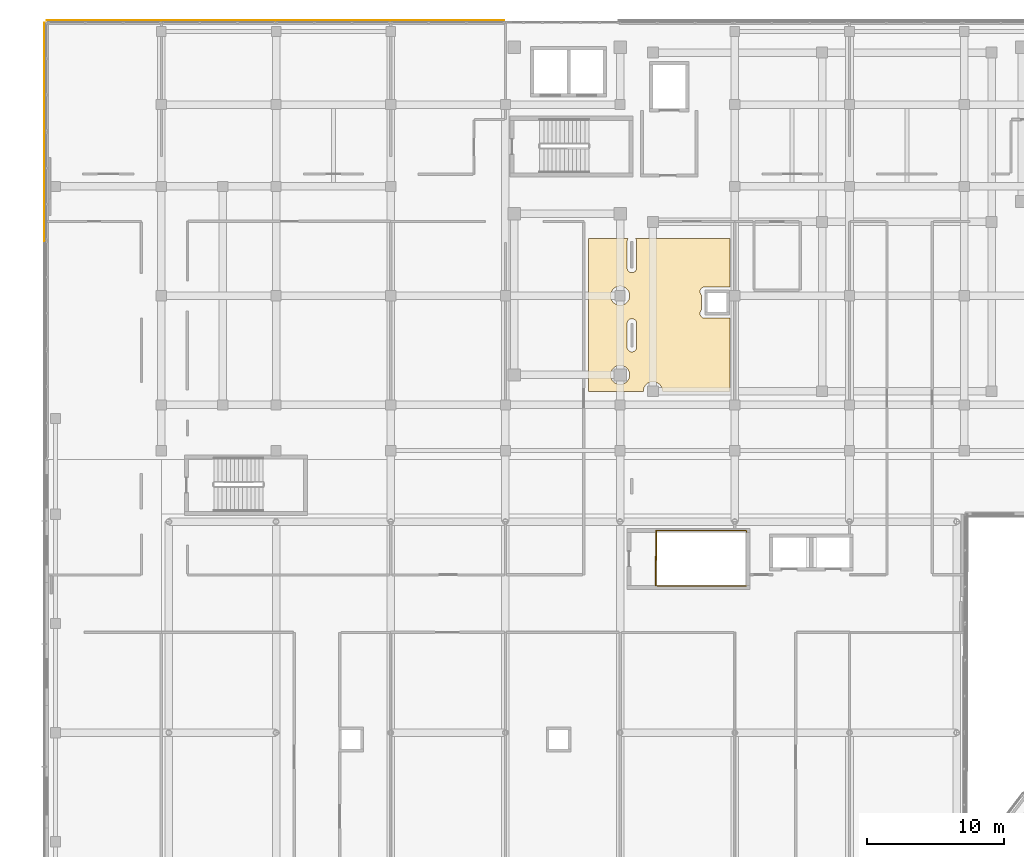
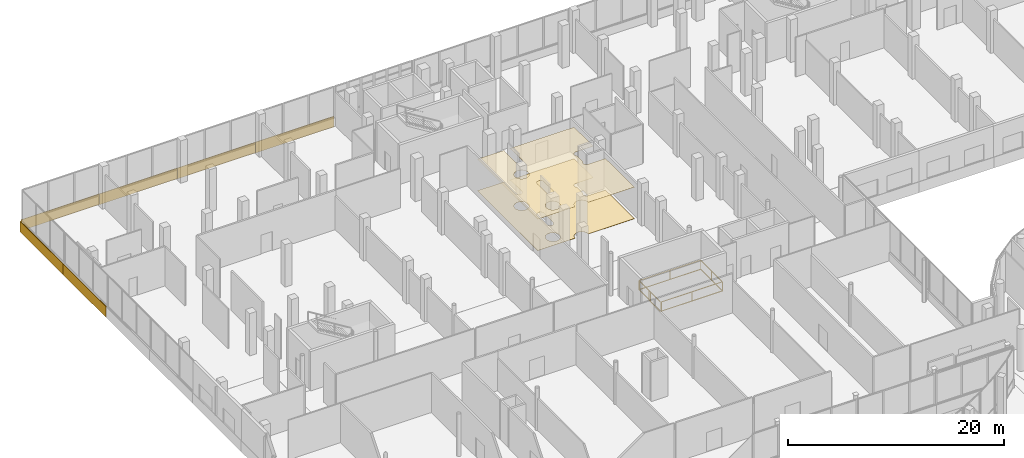
# One storey, part 150 of 155: 8 coverings, 3 railings.
"""IFC4 building model written with IfcOpenShell, lengths in metres."""

from ifc_helpers import new_model, si_unit, direction, frame, origin, origin_2d, place, context, subcontext, project, spatial, polyline, rectangle, outline, extrude, material, layer, layer_set, type_object, element, save


model = new_model("IFC4")

# Units and contexts
model_context = context("Model", 3, precision=1e-05, world=origin(), true_north=direction((0.0, 1.0)))
body_context = subcontext(model_context, "Body", "Model", "MODEL_VIEW")
ifc_project = project(units=[si_unit("LENGTHUNIT", "METRE"), si_unit("AREAUNIT", "SQUARE_METRE"), si_unit("VOLUMEUNIT", "CUBIC_METRE"), si_unit("PLANEANGLEUNIT", "RADIAN"), si_unit("MASSUNIT", "GRAM", prefix="KILO")], contexts=[model_context])

# Site, building, storey
site_placement = place(None, origin())
site = spatial("IfcSite", under=ifc_project, at=site_placement, CompositionType="ELEMENT")
building_placement = place(site_placement, origin())
building = spatial("IfcBuilding", under=site, at=building_placement, Name="Selatvlak General Hospital", CompositionType="ELEMENT")
storey_placement = place(building_placement, frame((0.0, 0.0, 10.199951171875)))
storey = spatial("IfcBuildingStorey", under=building, at=storey_placement, Name="L02", CompositionType="ELEMENT", Elevation=10.199951171875)

# Coverings
ifc_material_1 = material(Name="Acoustic mineral fibre ceiling tile")
ifc_layer_1 = layer(ifc_material_1, 0.02490234375, Name="Acoustic mineral fibre ceiling tile")
ifc_layer_set_1 = layer_set([ifc_layer_1], Name="Acoustic mineral fibre ceiling tile")
covering_type_1 = type_object("IfcCoveringType", Name="COV-CEIL1", PredefinedType="CEILING", material=ifc_layer_set_1)
covering_1_placement = place(storey_placement, frame((0.0, 0.0, 3.56005859375)))
element("IfcCovering", 1, at=covering_1_placement, inside=storey, type_object=covering_type_1, Name="L02 clinical acoustic ceiling 005", PredefinedType="CEILING", context=body_context, shape_type="SweptSolid", body=[
    extrude(outline(polyline([(57.0009765625, 104.199951171875), (56.968994140625, 104.158935546875), (56.950927734375, 104.1298828125), (56.93701171875, 104.09912109375), (56.925048828125, 104.06689453125), (56.9169921875, 104.032958984375), (56.912109375, 103.9990234375), (56.909912109375, 103.965087890625), (56.909912109375, 102.034912109375), (56.912109375, 102.0009765625), (56.9169921875, 101.967041015625), (56.925048828125, 101.93310546875), (56.93701171875, 101.90087890625), (56.950927734375, 101.8701171875), (56.968994140625, 101.841064453125), (56.989013671875, 101.81298828125), (57.012939453125, 101.7880859375), (57.0380859375, 101.763916015625), (57.06591796875, 101.743896484375), (57.094970703125, 101.72607421875), (57.1259765625, 101.7119140625), (57.157958984375, 101.699951171875), (57.19189453125, 101.69189453125), (57.22607421875, 101.68701171875), (57.260009765625, 101.68505859375), (57.2939453125, 101.68701171875), (57.327880859375, 101.69189453125), (57.362060546875, 101.699951171875), (57.39404296875, 101.7119140625), (57.425048828125, 101.72607421875), (57.4541015625, 101.743896484375), (57.48193359375, 101.763916015625), (57.507080078125, 101.7880859375), (57.531005859375, 101.81298828125), (57.551025390625, 101.841064453125), (57.569091796875, 101.8701171875), (57.5830078125, 101.90087890625), (57.594970703125, 101.93310546875), (57.60302734375, 101.967041015625), (57.60791015625, 102.0009765625), (57.610107421875, 102.034912109375), (57.610107421875, 103.965087890625), (57.60791015625, 103.9990234375), (57.60302734375, 104.032958984375), (57.594970703125, 104.06689453125), (57.5830078125, 104.09912109375), (57.569091796875, 104.1298828125), (57.551025390625, 104.158935546875), (57.531005859375, 104.18701171875), (64.449951171875, 104.199951171875), (64.449951171875, 100.64599609375), (64.39990234375, 100.64990234375), (62.60009765625, 100.64990234375), (62.56591796875, 100.64794921875), (62.531982421875, 100.64306640625), (62.498046875, 100.635009765625), (62.466064453125, 100.623046875), (62.43505859375, 100.60888671875), (62.406005859375, 100.591064453125), (62.3779296875, 100.571044921875), (62.35302734375, 100.547119140625), (62.3291015625, 100.52197265625), (62.30908203125, 100.493896484375), (62.291015625, 100.465087890625), (62.277099609375, 100.43408203125), (62.264892578125, 100.402099609375), (62.257080078125, 100.367919921875), (62.251953125, 100.333984375), (62.25, 100.300048828125), (62.251953125, 100.26611328125), (62.257080078125, 100.23193359375), (62.264892578125, 100.197998046875), (62.277099609375, 100.166015625), (62.291015625, 100.135009765625), (62.30908203125, 100.10595703125), (62.3291015625, 100.077880859375), (62.35009765625, 100.054931640625), (62.35009765625, 98.945068359375), (62.3291015625, 98.922119140625), (62.30908203125, 98.89404296875), (62.291015625, 98.864990234375), (62.277099609375, 98.833984375), (62.264892578125, 98.802001953125), (62.257080078125, 98.76806640625), (62.251953125, 98.73388671875), (62.25, 98.699951171875), (62.251953125, 98.666015625), (62.257080078125, 98.632080078125), (62.264892578125, 98.597900390625), (62.277099609375, 98.56591796875), (62.291015625, 98.534912109375), (62.30908203125, 98.506103515625), (62.3291015625, 98.47802734375), (62.35302734375, 98.452880859375), (62.3779296875, 98.428955078125), (62.406005859375, 98.408935546875), (62.43505859375, 98.39111328125), (62.466064453125, 98.376953125), (62.498046875, 98.364990234375), (62.531982421875, 98.35693359375), (62.56591796875, 98.35205078125), (62.60009765625, 98.35009765625), (64.39990234375, 98.35009765625), (64.43408203125, 98.35205078125), (64.449951171875, 93.0), (59.5, 93.0), (59.4970703125, 93.069091796875), (59.487060546875, 93.136962890625), (59.469970703125, 93.202880859375), (59.447021484375, 93.26806640625), (59.4169921875, 93.330078125), (59.382080078125, 93.388916015625), (59.341064453125, 93.444091796875), (59.294921875, 93.4951171875), (59.243896484375, 93.541015625), (59.18896484375, 93.58203125), (59.1298828125, 93.616943359375), (59.068115234375, 93.64697265625), (59.0029296875, 93.669921875), (58.93701171875, 93.68701171875), (58.868896484375, 93.697021484375), (58.800048828125, 93.699951171875), (58.73095703125, 93.697021484375), (58.6630859375, 93.68701171875), (58.596923828125, 93.669921875), (58.531982421875, 93.64697265625), (58.469970703125, 93.616943359375), (58.410888671875, 93.58203125), (58.35595703125, 93.541015625), (58.304931640625, 93.4951171875), (58.259033203125, 93.444091796875), (58.218017578125, 93.388916015625), (58.18310546875, 93.330078125), (58.153076171875, 93.26806640625), (58.1298828125, 93.202880859375), (58.113037109375, 93.136962890625), (58.10302734375, 93.069091796875), (58.10009765625, 93.0), (54.090087890625, 93.0), (54.090087890625, 104.199951171875), (57.0009765625, 104.199951171875)]), holes=[polyline([(56.89501953125, 93.705078125), (56.94091796875, 93.756103515625), (56.98193359375, 93.81103515625), (57.01708984375, 93.8701171875), (57.047119140625, 93.931884765625), (57.070068359375, 93.9970703125), (57.0869140625, 94.06298828125), (57.096923828125, 94.131103515625), (57.10009765625, 94.199951171875), (57.096923828125, 94.26904296875), (57.0869140625, 94.3369140625), (57.070068359375, 94.403076171875), (57.047119140625, 94.468017578125), (57.01708984375, 94.530029296875), (56.98193359375, 94.589111328125), (56.94091796875, 94.64404296875), (56.89501953125, 94.695068359375), (56.843994140625, 94.740966796875), (56.7890625, 94.781982421875), (56.72998046875, 94.81689453125), (56.66796875, 94.846923828125), (56.60302734375, 94.8701171875), (56.537109375, 94.886962890625), (56.468994140625, 94.89697265625), (56.39990234375, 94.89990234375), (56.3310546875, 94.89697265625), (56.262939453125, 94.886962890625), (56.197021484375, 94.8701171875), (56.132080078125, 94.846923828125), (56.070068359375, 94.81689453125), (56.010986328125, 94.781982421875), (55.9560546875, 94.740966796875), (55.905029296875, 94.695068359375), (55.85888671875, 94.64404296875), (55.818115234375, 94.589111328125), (55.782958984375, 94.530029296875), (55.7529296875, 94.468017578125), (55.72998046875, 94.403076171875), (55.712890625, 94.3369140625), (55.702880859375, 94.26904296875), (55.699951171875, 94.199951171875), (55.702880859375, 94.131103515625), (55.712890625, 94.06298828125), (55.72998046875, 93.9970703125), (55.7529296875, 93.931884765625), (55.782958984375, 93.8701171875), (55.818115234375, 93.81103515625), (55.85888671875, 93.756103515625), (55.905029296875, 93.705078125), (55.9560546875, 93.658935546875), (56.010986328125, 93.617919921875), (56.070068359375, 93.5830078125), (56.132080078125, 93.552978515625), (56.197021484375, 93.530029296875), (56.262939453125, 93.512939453125), (56.3310546875, 93.5029296875), (56.39990234375, 93.5), (56.468994140625, 93.5029296875), (56.537109375, 93.512939453125), (56.60302734375, 93.530029296875), (56.66796875, 93.552978515625), (56.72998046875, 93.5830078125), (56.7890625, 93.617919921875), (56.843994140625, 93.658935546875), (56.89501953125, 93.705078125)]), polyline([(56.89501953125, 99.5048828125), (56.94091796875, 99.555908203125), (56.98193359375, 99.611083984375), (57.01708984375, 99.669921875), (57.047119140625, 99.73193359375), (57.070068359375, 99.797119140625), (57.0869140625, 99.863037109375), (57.096923828125, 99.930908203125), (57.10009765625, 100.0), (57.096923828125, 100.069091796875), (57.0869140625, 100.136962890625), (57.070068359375, 100.202880859375), (57.047119140625, 100.26806640625), (57.01708984375, 100.330078125), (56.98193359375, 100.388916015625), (56.94091796875, 100.444091796875), (56.89501953125, 100.4951171875), (56.843994140625, 100.541015625), (56.7890625, 100.58203125), (56.72998046875, 100.616943359375), (56.66796875, 100.64697265625), (56.60302734375, 100.669921875), (56.537109375, 100.68701171875), (56.468994140625, 100.697021484375), (56.39990234375, 100.699951171875), (56.3310546875, 100.697021484375), (56.262939453125, 100.68701171875), (56.197021484375, 100.669921875), (56.132080078125, 100.64697265625), (56.070068359375, 100.616943359375), (56.010986328125, 100.58203125), (55.9560546875, 100.541015625), (55.905029296875, 100.4951171875), (55.85888671875, 100.444091796875), (55.818115234375, 100.388916015625), (55.782958984375, 100.330078125), (55.7529296875, 100.26806640625), (55.72998046875, 100.202880859375), (55.712890625, 100.136962890625), (55.702880859375, 100.069091796875), (55.699951171875, 100.0), (55.702880859375, 99.930908203125), (55.712890625, 99.863037109375), (55.72998046875, 99.797119140625), (55.7529296875, 99.73193359375), (55.782958984375, 99.669921875), (55.818115234375, 99.611083984375), (55.85888671875, 99.555908203125), (55.905029296875, 99.5048828125), (55.9560546875, 99.458984375), (56.010986328125, 99.41796875), (56.070068359375, 99.383056640625), (56.132080078125, 99.35302734375), (56.197021484375, 99.330078125), (56.262939453125, 99.31298828125), (56.3310546875, 99.302978515625), (56.39990234375, 99.300048828125), (56.468994140625, 99.302978515625), (56.537109375, 99.31298828125), (56.60302734375, 99.330078125), (56.66796875, 99.35302734375), (56.72998046875, 99.383056640625), (56.7890625, 99.41796875), (56.843994140625, 99.458984375), (56.89501953125, 99.5048828125)]), polyline([(57.0380859375, 98.236083984375), (57.012939453125, 98.2119140625), (56.989013671875, 98.18701171875), (56.968994140625, 98.158935546875), (56.950927734375, 98.1298828125), (56.93701171875, 98.09912109375), (56.925048828125, 98.06689453125), (56.9169921875, 98.032958984375), (56.912109375, 97.9990234375), (56.909912109375, 97.965087890625), (56.909912109375, 96.235107421875), (56.912109375, 96.200927734375), (56.9169921875, 96.1669921875), (56.925048828125, 96.133056640625), (56.93701171875, 96.10107421875), (56.950927734375, 96.070068359375), (56.968994140625, 96.041015625), (56.989013671875, 96.012939453125), (57.012939453125, 95.988037109375), (57.0380859375, 95.964111328125), (57.06591796875, 95.944091796875), (57.094970703125, 95.926025390625), (57.1259765625, 95.912109375), (57.157958984375, 95.89990234375), (57.19189453125, 95.89208984375), (57.22607421875, 95.886962890625), (57.260009765625, 95.885009765625), (57.2939453125, 95.886962890625), (57.327880859375, 95.89208984375), (57.362060546875, 95.89990234375), (57.39404296875, 95.912109375), (57.425048828125, 95.926025390625), (57.4541015625, 95.944091796875), (57.48193359375, 95.964111328125), (57.507080078125, 95.988037109375), (57.531005859375, 96.012939453125), (57.551025390625, 96.041015625), (57.569091796875, 96.070068359375), (57.5830078125, 96.10107421875), (57.594970703125, 96.133056640625), (57.60302734375, 96.1669921875), (57.60791015625, 96.200927734375), (57.610107421875, 96.235107421875), (57.610107421875, 97.965087890625), (57.60791015625, 97.9990234375), (57.60302734375, 98.032958984375), (57.594970703125, 98.06689453125), (57.5830078125, 98.09912109375), (57.569091796875, 98.1298828125), (57.551025390625, 98.158935546875), (57.531005859375, 98.18701171875), (57.507080078125, 98.2119140625), (57.48193359375, 98.236083984375), (57.4541015625, 98.256103515625), (57.425048828125, 98.27392578125), (57.39404296875, 98.2880859375), (57.362060546875, 98.300048828125), (57.327880859375, 98.30810546875), (57.2939453125, 98.31298828125), (57.260009765625, 98.31494140625), (57.22607421875, 98.31298828125), (57.19189453125, 98.30810546875), (57.157958984375, 98.300048828125), (57.1259765625, 98.2880859375), (57.094970703125, 98.27392578125), (57.06591796875, 98.256103515625), (57.0380859375, 98.236083984375)])]), origin(), (0.0, 0.0, 1.0), 0.02490234375),
])
ifc_material_2 = material(Name="Homogeneous anti-static hospital vinyl flooring")
ifc_layer_2 = layer(ifc_material_2, 0.014892578125, Name="Homogeneous anti-static hospital vinyl flooring")
ifc_layer_set_2 = layer_set([ifc_layer_2], Name="Homogeneous anti-static hospital vinyl flooring")
covering_type_2 = type_object("IfcCoveringType", Name="COV-FLR1", PredefinedType="FLOORING", material=ifc_layer_set_2)
covering_2_placement = place(storey_placement, origin())
element("IfcCovering", 2, at=covering_2_placement, inside=storey, type_object=covering_type_2, Name="L02 seamless vinyl flooring 005", PredefinedType="FLOORING", context=body_context, shape_type="SweptSolid", body=[
    extrude(outline(polyline([(57.0009765625, 104.199951171875), (56.968994140625, 104.158935546875), (56.950927734375, 104.1298828125), (56.93701171875, 104.09912109375), (56.925048828125, 104.06689453125), (56.9169921875, 104.032958984375), (56.912109375, 103.9990234375), (56.909912109375, 103.965087890625), (56.909912109375, 102.034912109375), (56.912109375, 102.0009765625), (56.9169921875, 101.967041015625), (56.925048828125, 101.93310546875), (56.93701171875, 101.90087890625), (56.950927734375, 101.8701171875), (56.968994140625, 101.841064453125), (56.989013671875, 101.81298828125), (57.012939453125, 101.7880859375), (57.0380859375, 101.763916015625), (57.06591796875, 101.743896484375), (57.094970703125, 101.72607421875), (57.1259765625, 101.7119140625), (57.157958984375, 101.699951171875), (57.19189453125, 101.69189453125), (57.22607421875, 101.68701171875), (57.260009765625, 101.68505859375), (57.2939453125, 101.68701171875), (57.327880859375, 101.69189453125), (57.362060546875, 101.699951171875), (57.39404296875, 101.7119140625), (57.425048828125, 101.72607421875), (57.4541015625, 101.743896484375), (57.48193359375, 101.763916015625), (57.507080078125, 101.7880859375), (57.531005859375, 101.81298828125), (57.551025390625, 101.841064453125), (57.569091796875, 101.8701171875), (57.5830078125, 101.90087890625), (57.594970703125, 101.93310546875), (57.60302734375, 101.967041015625), (57.60791015625, 102.0009765625), (57.610107421875, 102.034912109375), (57.610107421875, 103.965087890625), (57.60791015625, 103.9990234375), (57.60302734375, 104.032958984375), (57.594970703125, 104.06689453125), (57.5830078125, 104.09912109375), (57.569091796875, 104.1298828125), (57.551025390625, 104.158935546875), (57.531005859375, 104.18701171875), (64.449951171875, 104.199951171875), (64.449951171875, 100.64599609375), (64.39990234375, 100.64990234375), (62.60009765625, 100.64990234375), (62.56591796875, 100.64794921875), (62.531982421875, 100.64306640625), (62.498046875, 100.635009765625), (62.466064453125, 100.623046875), (62.43505859375, 100.60888671875), (62.406005859375, 100.591064453125), (62.3779296875, 100.571044921875), (62.35302734375, 100.547119140625), (62.3291015625, 100.52197265625), (62.30908203125, 100.493896484375), (62.291015625, 100.465087890625), (62.277099609375, 100.43408203125), (62.264892578125, 100.402099609375), (62.257080078125, 100.367919921875), (62.251953125, 100.333984375), (62.25, 100.300048828125), (62.251953125, 100.26611328125), (62.257080078125, 100.23193359375), (62.264892578125, 100.197998046875), (62.277099609375, 100.166015625), (62.291015625, 100.135009765625), (62.30908203125, 100.10595703125), (62.3291015625, 100.077880859375), (62.35009765625, 100.054931640625), (62.35009765625, 98.945068359375), (62.3291015625, 98.922119140625), (62.30908203125, 98.89404296875), (62.291015625, 98.864990234375), (62.277099609375, 98.833984375), (62.264892578125, 98.802001953125), (62.257080078125, 98.76806640625), (62.251953125, 98.73388671875), (62.25, 98.699951171875), (62.251953125, 98.666015625), (62.257080078125, 98.632080078125), (62.264892578125, 98.597900390625), (62.277099609375, 98.56591796875), (62.291015625, 98.534912109375), (62.30908203125, 98.506103515625), (62.3291015625, 98.47802734375), (62.35302734375, 98.452880859375), (62.3779296875, 98.428955078125), (62.406005859375, 98.408935546875), (62.43505859375, 98.39111328125), (62.466064453125, 98.376953125), (62.498046875, 98.364990234375), (62.531982421875, 98.35693359375), (62.56591796875, 98.35205078125), (62.60009765625, 98.35009765625), (64.39990234375, 98.35009765625), (64.43408203125, 98.35205078125), (64.449951171875, 93.0), (59.5, 93.0), (59.4970703125, 93.069091796875), (59.487060546875, 93.136962890625), (59.469970703125, 93.202880859375), (59.447021484375, 93.26806640625), (59.4169921875, 93.330078125), (59.382080078125, 93.388916015625), (59.341064453125, 93.444091796875), (59.294921875, 93.4951171875), (59.243896484375, 93.541015625), (59.18896484375, 93.58203125), (59.1298828125, 93.616943359375), (59.068115234375, 93.64697265625), (59.0029296875, 93.669921875), (58.93701171875, 93.68701171875), (58.868896484375, 93.697021484375), (58.800048828125, 93.699951171875), (58.73095703125, 93.697021484375), (58.6630859375, 93.68701171875), (58.596923828125, 93.669921875), (58.531982421875, 93.64697265625), (58.469970703125, 93.616943359375), (58.410888671875, 93.58203125), (58.35595703125, 93.541015625), (58.304931640625, 93.4951171875), (58.259033203125, 93.444091796875), (58.218017578125, 93.388916015625), (58.18310546875, 93.330078125), (58.153076171875, 93.26806640625), (58.1298828125, 93.202880859375), (58.113037109375, 93.136962890625), (58.10302734375, 93.069091796875), (58.10009765625, 93.0), (54.090087890625, 93.0), (54.090087890625, 104.199951171875), (57.0009765625, 104.199951171875)]), holes=[polyline([(56.89501953125, 93.705078125), (56.94091796875, 93.756103515625), (56.98193359375, 93.81103515625), (57.01708984375, 93.8701171875), (57.047119140625, 93.931884765625), (57.070068359375, 93.9970703125), (57.0869140625, 94.06298828125), (57.096923828125, 94.131103515625), (57.10009765625, 94.199951171875), (57.096923828125, 94.26904296875), (57.0869140625, 94.3369140625), (57.070068359375, 94.403076171875), (57.047119140625, 94.468017578125), (57.01708984375, 94.530029296875), (56.98193359375, 94.589111328125), (56.94091796875, 94.64404296875), (56.89501953125, 94.695068359375), (56.843994140625, 94.740966796875), (56.7890625, 94.781982421875), (56.72998046875, 94.81689453125), (56.66796875, 94.846923828125), (56.60302734375, 94.8701171875), (56.537109375, 94.886962890625), (56.468994140625, 94.89697265625), (56.39990234375, 94.89990234375), (56.3310546875, 94.89697265625), (56.262939453125, 94.886962890625), (56.197021484375, 94.8701171875), (56.132080078125, 94.846923828125), (56.070068359375, 94.81689453125), (56.010986328125, 94.781982421875), (55.9560546875, 94.740966796875), (55.905029296875, 94.695068359375), (55.85888671875, 94.64404296875), (55.818115234375, 94.589111328125), (55.782958984375, 94.530029296875), (55.7529296875, 94.468017578125), (55.72998046875, 94.403076171875), (55.712890625, 94.3369140625), (55.702880859375, 94.26904296875), (55.699951171875, 94.199951171875), (55.702880859375, 94.131103515625), (55.712890625, 94.06298828125), (55.72998046875, 93.9970703125), (55.7529296875, 93.931884765625), (55.782958984375, 93.8701171875), (55.818115234375, 93.81103515625), (55.85888671875, 93.756103515625), (55.905029296875, 93.705078125), (55.9560546875, 93.658935546875), (56.010986328125, 93.617919921875), (56.070068359375, 93.5830078125), (56.132080078125, 93.552978515625), (56.197021484375, 93.530029296875), (56.262939453125, 93.512939453125), (56.3310546875, 93.5029296875), (56.39990234375, 93.5), (56.468994140625, 93.5029296875), (56.537109375, 93.512939453125), (56.60302734375, 93.530029296875), (56.66796875, 93.552978515625), (56.72998046875, 93.5830078125), (56.7890625, 93.617919921875), (56.843994140625, 93.658935546875), (56.89501953125, 93.705078125)]), polyline([(56.89501953125, 99.5048828125), (56.94091796875, 99.555908203125), (56.98193359375, 99.611083984375), (57.01708984375, 99.669921875), (57.047119140625, 99.73193359375), (57.070068359375, 99.797119140625), (57.0869140625, 99.863037109375), (57.096923828125, 99.930908203125), (57.10009765625, 100.0), (57.096923828125, 100.069091796875), (57.0869140625, 100.136962890625), (57.070068359375, 100.202880859375), (57.047119140625, 100.26806640625), (57.01708984375, 100.330078125), (56.98193359375, 100.388916015625), (56.94091796875, 100.444091796875), (56.89501953125, 100.4951171875), (56.843994140625, 100.541015625), (56.7890625, 100.58203125), (56.72998046875, 100.616943359375), (56.66796875, 100.64697265625), (56.60302734375, 100.669921875), (56.537109375, 100.68701171875), (56.468994140625, 100.697021484375), (56.39990234375, 100.699951171875), (56.3310546875, 100.697021484375), (56.262939453125, 100.68701171875), (56.197021484375, 100.669921875), (56.132080078125, 100.64697265625), (56.070068359375, 100.616943359375), (56.010986328125, 100.58203125), (55.9560546875, 100.541015625), (55.905029296875, 100.4951171875), (55.85888671875, 100.444091796875), (55.818115234375, 100.388916015625), (55.782958984375, 100.330078125), (55.7529296875, 100.26806640625), (55.72998046875, 100.202880859375), (55.712890625, 100.136962890625), (55.702880859375, 100.069091796875), (55.699951171875, 100.0), (55.702880859375, 99.930908203125), (55.712890625, 99.863037109375), (55.72998046875, 99.797119140625), (55.7529296875, 99.73193359375), (55.782958984375, 99.669921875), (55.818115234375, 99.611083984375), (55.85888671875, 99.555908203125), (55.905029296875, 99.5048828125), (55.9560546875, 99.458984375), (56.010986328125, 99.41796875), (56.070068359375, 99.383056640625), (56.132080078125, 99.35302734375), (56.197021484375, 99.330078125), (56.262939453125, 99.31298828125), (56.3310546875, 99.302978515625), (56.39990234375, 99.300048828125), (56.468994140625, 99.302978515625), (56.537109375, 99.31298828125), (56.60302734375, 99.330078125), (56.66796875, 99.35302734375), (56.72998046875, 99.383056640625), (56.7890625, 99.41796875), (56.843994140625, 99.458984375), (56.89501953125, 99.5048828125)]), polyline([(57.0380859375, 98.236083984375), (57.012939453125, 98.2119140625), (56.989013671875, 98.18701171875), (56.968994140625, 98.158935546875), (56.950927734375, 98.1298828125), (56.93701171875, 98.09912109375), (56.925048828125, 98.06689453125), (56.9169921875, 98.032958984375), (56.912109375, 97.9990234375), (56.909912109375, 97.965087890625), (56.909912109375, 96.235107421875), (56.912109375, 96.200927734375), (56.9169921875, 96.1669921875), (56.925048828125, 96.133056640625), (56.93701171875, 96.10107421875), (56.950927734375, 96.070068359375), (56.968994140625, 96.041015625), (56.989013671875, 96.012939453125), (57.012939453125, 95.988037109375), (57.0380859375, 95.964111328125), (57.06591796875, 95.944091796875), (57.094970703125, 95.926025390625), (57.1259765625, 95.912109375), (57.157958984375, 95.89990234375), (57.19189453125, 95.89208984375), (57.22607421875, 95.886962890625), (57.260009765625, 95.885009765625), (57.2939453125, 95.886962890625), (57.327880859375, 95.89208984375), (57.362060546875, 95.89990234375), (57.39404296875, 95.912109375), (57.425048828125, 95.926025390625), (57.4541015625, 95.944091796875), (57.48193359375, 95.964111328125), (57.507080078125, 95.988037109375), (57.531005859375, 96.012939453125), (57.551025390625, 96.041015625), (57.569091796875, 96.070068359375), (57.5830078125, 96.10107421875), (57.594970703125, 96.133056640625), (57.60302734375, 96.1669921875), (57.60791015625, 96.200927734375), (57.610107421875, 96.235107421875), (57.610107421875, 97.965087890625), (57.60791015625, 97.9990234375), (57.60302734375, 98.032958984375), (57.594970703125, 98.06689453125), (57.5830078125, 98.09912109375), (57.569091796875, 98.1298828125), (57.551025390625, 98.158935546875), (57.531005859375, 98.18701171875), (57.507080078125, 98.2119140625), (57.48193359375, 98.236083984375), (57.4541015625, 98.256103515625), (57.425048828125, 98.27392578125), (57.39404296875, 98.2880859375), (57.362060546875, 98.300048828125), (57.327880859375, 98.30810546875), (57.2939453125, 98.31298828125), (57.260009765625, 98.31494140625), (57.22607421875, 98.31298828125), (57.19189453125, 98.30810546875), (57.157958984375, 98.300048828125), (57.1259765625, 98.2880859375), (57.094970703125, 98.27392578125), (57.06591796875, 98.256103515625), (57.0380859375, 98.236083984375)])]), origin(), (0.0, 0.0, 1.0), 0.01513671875),
])
ifc_material_3 = material(Name="White Bauhaus fair-faced cladding panel")
ifc_layer_3 = layer(ifc_material_3, 0.054931640625, Name="White Bauhaus fair-faced cladding panel")
ifc_layer_set_3 = layer_set([ifc_layer_3], Name="White Bauhaus fair-faced cladding panel")
covering_type_3 = type_object("IfcCoveringType", Name="COV-WHT1", PredefinedType="CLADDING", material=ifc_layer_set_3)
for number, where, z_axis, x_axis, name in (
    (3, (14.235107421875, 107.9990234375, -0.27978515625), (0.0, 0.0, 1.0), (0.0, 1.0, 0.0), "L02 Bauhaus horizontal white spandrel band 0140"),
    (4, (14.235107421875, 115.9990234375, -0.27978515625), (0.0, 0.0, 1.0), (0.0, 1.0, 0.0), "L02 Bauhaus horizontal white spandrel band 0141"),
):
    element("IfcCovering", number, at=place(storey_placement, frame(where, z_axis=z_axis, x_axis=x_axis)), inside=storey, type_object=covering_type_3, Name=name, PredefinedType="CLADDING", context=body_context, shape_type="SweptSolid", body=[
        extrude(rectangle(XDim=8.0, YDim=0.054931640625, at=origin_2d()), origin(), (0.0, 0.0, 1.0), 1.219970703125),
    ])
for number, where, z_axis, x_axis, name in (
    (5, (18.590087890625, 120.1640625, -0.27978515625), (0.0, 0.0, 1.0), (1.0, 0.0, 0.0), "L02 Bauhaus horizontal white spandrel band 0142"),
    (6, (26.969970703125, 120.1640625, -0.27978515625), (0.0, 0.0, 1.0), (1.0, 0.0, 0.0), "L02 Bauhaus horizontal white spandrel band 0143"),
    (7, (35.35009765625, 120.1640625, -0.27978515625), (0.0, 0.0, 1.0), (1.0, 0.0, 0.0), "L02 Bauhaus horizontal white spandrel band 0144"),
    (8, (43.72998046875, 120.1640625, -0.27978515625), (0.0, 0.0, 1.0), (1.0, 0.0, 0.0), "L02 Bauhaus horizontal white spandrel band 0145"),
):
    element("IfcCovering", number, at=place(storey_placement, frame(where, z_axis=z_axis, x_axis=x_axis)), inside=storey, type_object=covering_type_3, Name=name, PredefinedType="CLADDING", context=body_context, shape_type="SweptSolid", body=[
        extrude(rectangle(XDim=8.3798828125, YDim=0.054931640625, at=origin_2d()), origin(), (0.0, 0.0, 1.0), 1.219970703125),
    ])

# Railings
ifc_material_4 = material(Name="Stainless steel 316 stair guard", Category="steel")
railing_type = type_object("IfcRailingType", Name="RAIL-STG", PredefinedType="GUARDRAIL", material=ifc_material_4)
railing_1_placement = place(storey_placement, frame((59.010009765625, 78.800048828125, 0.0)))
element("IfcRailing", 9, at=railing_1_placement, inside=storey, type_object=railing_type, Name="L02 ST-05 top well guard 1", PredefinedType="GUARDRAIL", context=body_context, shape_type="SweptSolid", body=[
    extrude(rectangle(XDim=0.068115234375, YDim=0.068115234375, at=origin_2d()), frame((0.0, 0.0029296875, 1.11572265625), z_axis=(0.0, 1.0, 0.0), x_axis=(-1.0, 0.0, 0.0)), (0.0, 0.0, 1.0), 2.073974609375),
    extrude(rectangle(XDim=0.068115234375, YDim=0.068115234375, at=origin_2d()), frame((0.0, 0.0029296875, 0.049072265625), z_axis=(0.0, 1.0, 0.0), x_axis=(-1.0, 0.0, 0.0)), (0.0, 0.0, 1.0), 2.073974609375),
    extrude(rectangle(XDim=0.055908203125, YDim=0.055908203125, at=origin_2d()), origin(), (0.0, 0.0, 1.0), 1.078857421875),
    extrude(rectangle(XDim=0.055908203125, YDim=0.055908203125, at=origin_2d()), frame((0.0, 2.079833984375, 0.0)), (0.0, 0.0, 1.0), 1.078857421875),
])
railing_2_placement = place(storey_placement, frame((59.10498046875, 82.7900390625, 0.0)))
element("IfcRailing", 10, at=railing_2_placement, inside=storey, type_object=railing_type, Name="ST-05 top landing well guard on L02", PredefinedType="GUARDRAIL", context=body_context, shape_type="SweptSolid", body=[
    extrude(rectangle(XDim=0.068115234375, YDim=0.068115234375, at=origin_2d()), frame((0.0029296875, 0.0, 1.0859375), z_axis=(1.0, 0.0, 0.0), x_axis=(0.0, 1.0, 0.0)), (0.0, 0.0, 1.0), 6.5390625),
    extrude(rectangle(XDim=0.068115234375, YDim=0.068115234375, at=origin_2d()), frame((0.0029296875, 0.0, 0.049072265625), z_axis=(1.0, 0.0, 0.0), x_axis=(0.0, 1.0, 0.0)), (0.0, 0.0, 1.0), 6.5390625),
    extrude(rectangle(XDim=0.068115234375, YDim=0.068115234375, at=origin_2d()), frame((6.544921875, -0.0029296875, 1.0859375), z_axis=(0.0, -1.0, 0.0), x_axis=(1.0, 0.0, 0.0)), (0.0, 0.0, 1.0), 4.0341796875),
    extrude(rectangle(XDim=0.068115234375, YDim=0.068115234375, at=origin_2d()), frame((6.544921875, -0.0029296875, 0.049072265625), z_axis=(0.0, -1.0, 0.0), x_axis=(1.0, 0.0, 0.0)), (0.0, 0.0, 1.0), 4.0341796875),
    extrude(rectangle(XDim=0.068115234375, YDim=0.068115234375, at=origin_2d()), frame((6.5419921875, -4.0400390625, 1.0859375), z_axis=(-1.0, 0.0, 0.0), x_axis=(0.0, -1.0, 0.0)), (0.0, 0.0, 1.0), 6.5390625),
    extrude(rectangle(XDim=0.068115234375, YDim=0.068115234375, at=origin_2d()), frame((6.5419921875, -4.0400390625, 0.049072265625), z_axis=(-1.0, 0.0, 0.0), x_axis=(0.0, -1.0, 0.0)), (0.0, 0.0, 1.0), 6.5390625),
    extrude(rectangle(XDim=0.055908203125, YDim=0.055908203125, at=origin_2d()), origin(), (0.0, 0.0, 1.0), 1.049072265625),
    extrude(rectangle(XDim=0.055908203125, YDim=0.055908203125, at=origin_2d()), frame((3.2724609375, 0.0, 0.0)), (0.0, 0.0, 1.0), 1.049072265625),
    extrude(rectangle(XDim=0.055908203125, YDim=0.055908203125, at=origin_2d()), frame((6.544921875, 0.0, 0.0)), (0.0, 0.0, 1.0), 1.049072265625),
    extrude(rectangle(XDim=0.055908203125, YDim=0.055908203125, at=origin_2d()), frame((6.544921875, -2.02001953125, 0.0)), (0.0, 0.0, 1.0), 1.049072265625),
    extrude(rectangle(XDim=0.055908203125, YDim=0.055908203125, at=origin_2d()), frame((6.544921875, -4.0400390625, 0.0)), (0.0, 0.0, 1.0), 1.049072265625),
    extrude(rectangle(XDim=0.055908203125, YDim=0.055908203125, at=origin_2d()), frame((3.2724609375, -4.0400390625, 0.0)), (0.0, 0.0, 1.0), 1.049072265625),
    extrude(rectangle(XDim=0.055908203125, YDim=0.055908203125, at=origin_2d()), frame((0.0, -4.0400390625, 0.0)), (0.0, 0.0, 1.0), 1.049072265625),
])
railing_3_placement = place(storey_placement, frame((59.054931640625, 80.659912109375, 0.0)))
element("IfcRailing", 11, at=railing_3_placement, inside=storey, type_object=railing_type, Name="ST-05 top landing west slot guard on L02", PredefinedType="GUARDRAIL", context=body_context, shape_type="SweptSolid", body=[
    extrude(rectangle(XDim=0.068115234375, YDim=0.068115234375, at=origin_2d()), frame((0.0, 0.0029296875, 1.0859375), z_axis=(0.0, 1.0, 0.0), x_axis=(-1.0, 0.0, 0.0)), (0.0, 0.0, 1.0), 2.124267578125),
    extrude(rectangle(XDim=0.068115234375, YDim=0.068115234375, at=origin_2d()), frame((0.0, 0.0029296875, 0.049072265625), z_axis=(0.0, 1.0, 0.0), x_axis=(-1.0, 0.0, 0.0)), (0.0, 0.0, 1.0), 2.124267578125),
    extrude(rectangle(XDim=0.055908203125, YDim=0.055908203125, at=origin_2d()), origin(), (0.0, 0.0, 1.0), 1.049072265625),
    extrude(rectangle(XDim=0.055908203125, YDim=0.055908203125, at=origin_2d()), frame((0.0, 2.130126953125, 0.0)), (0.0, 0.0, 1.0), 1.049072265625),
])

save(model, "model.ifc")
